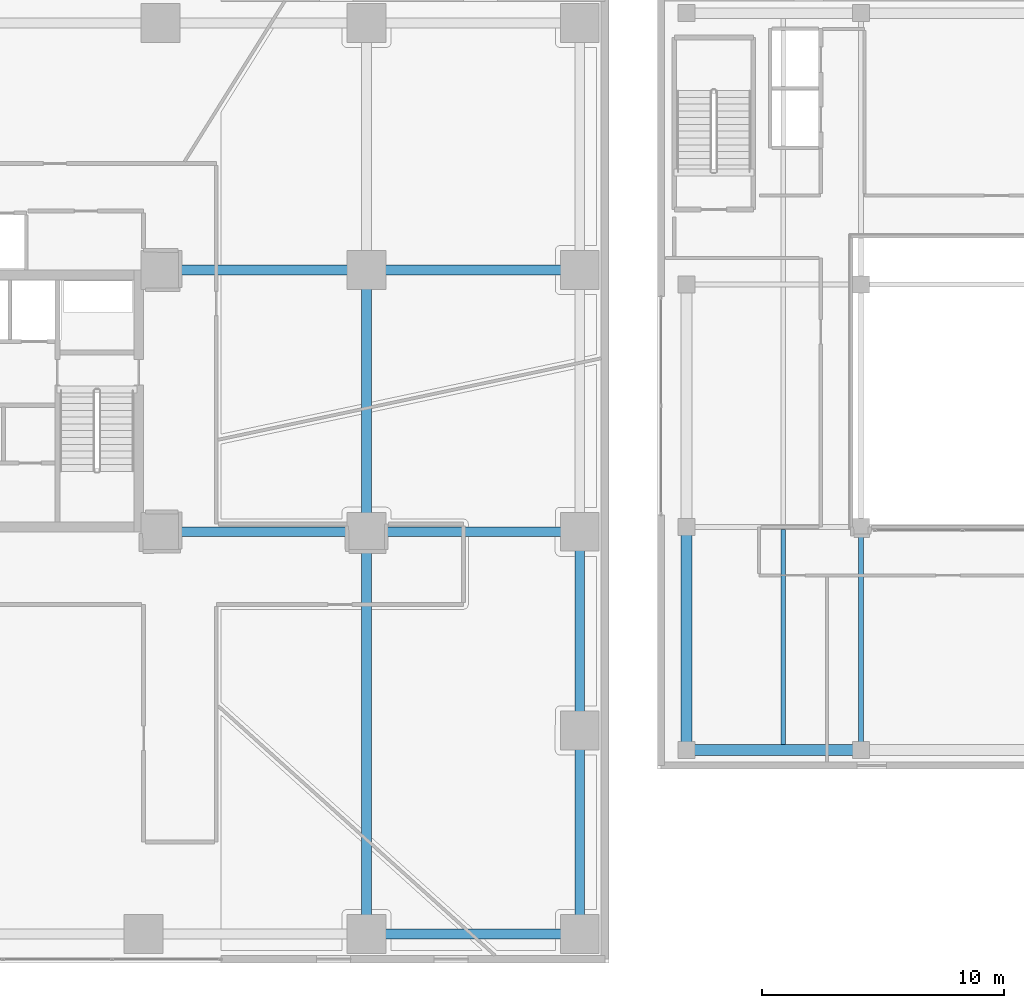
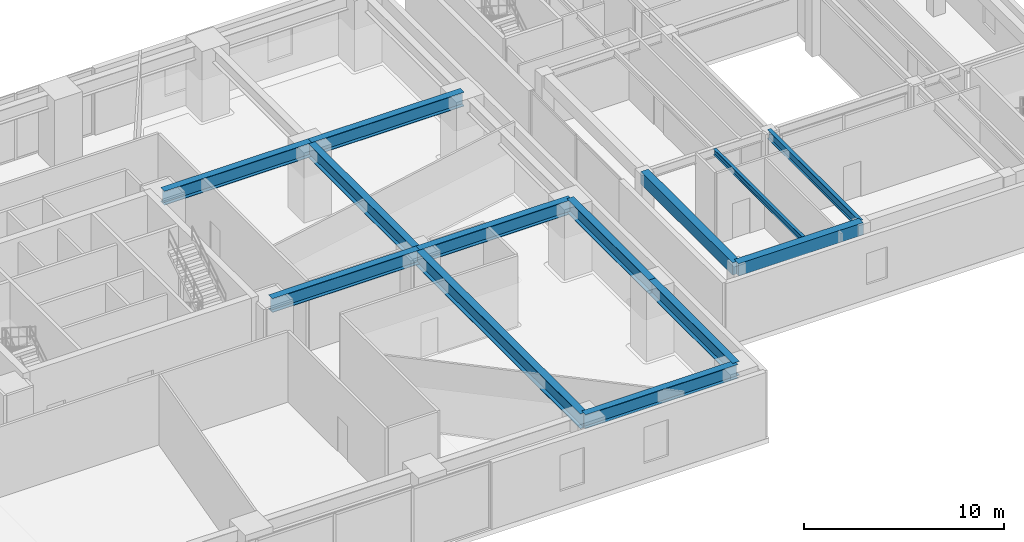
# One storey, part 6 of 24: 13 beams.
"""IFC4 building model written with IfcOpenShell, lengths in metres."""

from ifc_helpers import new_model, si_unit, direction, frame, origin, origin_2d, place, context, subcontext, project, spatial, rectangle, i_section, extrude, material, material_profile, profile_set, type_object, element, save


model = new_model("IFC4")

# Units and contexts
model_context = context("Model", 3, precision=1e-05, world=origin(), true_north=direction((0.0, 1.0)))
body_context = subcontext(model_context, "Body", "Model", "MODEL_VIEW")
ifc_project = project(units=[si_unit("LENGTHUNIT", "METRE"), si_unit("AREAUNIT", "SQUARE_METRE"), si_unit("VOLUMEUNIT", "CUBIC_METRE"), si_unit("PLANEANGLEUNIT", "RADIAN"), si_unit("MASSUNIT", "GRAM", prefix="KILO")], contexts=[model_context])

# Site, building, storey
site_placement = place(None, origin())
site = spatial("IfcSite", under=ifc_project, at=site_placement, CompositionType="ELEMENT")
building_placement = place(site_placement, origin())
building = spatial("IfcBuilding", under=site, at=building_placement, Name="Talar Marvaseh", CompositionType="ELEMENT")
storey_placement = place(building_placement, frame((0.0, 0.0, 9.800048828125)))
storey = spatial("IfcBuildingStorey", under=building, at=storey_placement, Name="L02", CompositionType="ELEMENT", Elevation=9.800048828125)

# Beams
ifc_material_1 = material(Name="Steel S460", Category="steel")
ifc_material_profile_1 = material_profile(ifc_material_1, i_section(OverallWidth=0.41796875, OverallDepth=0.912109375, WebThickness=0.019287109375, FlangeThickness=0.031982421875, at=origin_2d()), Name="W920x342")
ifc_profile_set_1 = profile_set([ifc_material_profile_1], Name="Steel S460")
beam_type_1 = type_object("IfcBeamType", Name="Auditorium Long-Span Girder W920x342", PredefinedType="BEAM", material=ifc_profile_set_1)
beam_1_placement = place(storey_placement, frame((42.0, 9.199951171875, 3.843994140625), z_axis=(0.0, 1.0, 0.0), x_axis=(-1.0, 0.0, 0.0)))
element("IfcBeam", 1, at=beam_1_placement, inside=storey, type_object=beam_type_1, Name="L02 Auditorium Long-Span Girder W920x342", PredefinedType="BEAM", context=body_context, shape_type="SweptSolid", body=[
    extrude(i_section(OverallWidth=0.41796875, OverallDepth=0.912109375, WebThickness=0.019287109375, FlangeThickness=0.031982421875, at=origin_2d()), origin(), (0.0, 0.0, 1.0), 16.60009765625),
])
ifc_material_2 = material(Name="Steel S355", Category="steel")
ifc_material_profile_2 = material_profile(ifc_material_2, i_section(OverallWidth=0.39990234375, OverallDepth=0.85498046875, WebThickness=0.018310546875, FlangeThickness=0.029296875, at=origin_2d()), Name="W840x299")
ifc_profile_set_2 = profile_set([ifc_material_profile_2], Name="Steel S355")
beam_type_2 = type_object("IfcBeamType", Name="Concourse Primary Girder W840x299", PredefinedType="BEAM", material=ifc_profile_set_2)
beam_2_placement = place(storey_placement, frame((42.0, 9.199951171875, 3.87255859375), z_axis=(1.0, 0.0, 0.0), x_axis=(0.0, 1.0, 0.0)))
element("IfcBeam", 2, at=beam_2_placement, inside=storey, type_object=beam_type_2, Name="L02 Concourse Primary Girder W840x299", PredefinedType="BEAM", context=body_context, shape_type="SweptSolid", body=[
    extrude(i_section(OverallWidth=0.39990234375, OverallDepth=0.85498046875, WebThickness=0.018310546875, FlangeThickness=0.029296875, at=origin_2d()), origin(), (0.0, 0.0, 1.0), 8.800048828125),
])
beam_3_placement = place(storey_placement, frame((33.5, 25.800048828125, 3.87255859375), z_axis=(1.0, 0.0, 0.0), x_axis=(0.0, 1.0, 0.0)))
element("IfcBeam", 3, at=beam_3_placement, inside=storey, type_object=beam_type_2, Name="L02 Concourse Primary Girder W840x299", PredefinedType="BEAM", context=body_context, shape_type="SweptSolid", body=[
    extrude(i_section(OverallWidth=0.39990234375, OverallDepth=0.85498046875, WebThickness=0.018310546875, FlangeThickness=0.029296875, at=origin_2d()), origin(), (0.0, 0.0, 1.0), 8.5),
])
beam_4_placement = place(storey_placement, frame((42.0, 25.800048828125, 3.87255859375), z_axis=(1.0, 0.0, 0.0), x_axis=(0.0, 1.0, 0.0)))
element("IfcBeam", 4, at=beam_4_placement, inside=storey, type_object=beam_type_2, Name="L02 Concourse Primary Girder W840x299", PredefinedType="BEAM", context=body_context, shape_type="SweptSolid", body=[
    extrude(i_section(OverallWidth=0.39990234375, OverallDepth=0.85498046875, WebThickness=0.018310546875, FlangeThickness=0.029296875, at=origin_2d()), origin(), (0.0, 0.0, 1.0), 8.800048828125),
])
beam_5_placement = place(storey_placement, frame((33.5, 36.60009765625, 3.87255859375), z_axis=(1.0, 0.0, 0.0), x_axis=(0.0, 1.0, 0.0)))
element("IfcBeam", 5, at=beam_5_placement, inside=storey, type_object=beam_type_2, Name="L02 Concourse Primary Girder W840x299", PredefinedType="BEAM", context=body_context, shape_type="SweptSolid", body=[
    extrude(i_section(OverallWidth=0.39990234375, OverallDepth=0.85498046875, WebThickness=0.018310546875, FlangeThickness=0.029296875, at=origin_2d()), origin(), (0.0, 0.0, 1.0), 8.5),
])
beam_6_placement = place(storey_placement, frame((42.0, 36.60009765625, 3.87255859375), z_axis=(1.0, 0.0, 0.0), x_axis=(0.0, 1.0, 0.0)))
element("IfcBeam", 6, at=beam_6_placement, inside=storey, type_object=beam_type_2, Name="L02 Concourse Primary Girder W840x299", PredefinedType="BEAM", context=body_context, shape_type="SweptSolid", body=[
    extrude(i_section(OverallWidth=0.39990234375, OverallDepth=0.85498046875, WebThickness=0.018310546875, FlangeThickness=0.029296875, at=origin_2d()), origin(), (0.0, 0.0, 1.0), 8.800048828125),
])
beam_7_placement = place(storey_placement, frame((42.0, 25.800048828125, 3.87255859375), z_axis=(0.0, 1.0, 0.0), x_axis=(-1.0, 0.0, 0.0)))
element("IfcBeam", 7, at=beam_7_placement, inside=storey, type_object=beam_type_2, Name="L02 Concourse Primary Girder W840x299", PredefinedType="BEAM", context=body_context, shape_type="SweptSolid", body=[
    extrude(i_section(OverallWidth=0.39990234375, OverallDepth=0.85498046875, WebThickness=0.018310546875, FlangeThickness=0.029296875, at=origin_2d()), origin(), (0.0, 0.0, 1.0), 10.800048828125),
])
beam_8_placement = place(storey_placement, frame((50.800048828125, 9.199951171875, 3.87255859375), z_axis=(0.0, 1.0, 0.0), x_axis=(-1.0, 0.0, 0.0)))
element("IfcBeam", 8, at=beam_8_placement, inside=storey, type_object=beam_type_2, Name="L02 Concourse Primary Girder W840x299", PredefinedType="BEAM", context=body_context, shape_type="SweptSolid", body=[
    extrude(i_section(OverallWidth=0.39990234375, OverallDepth=0.85498046875, WebThickness=0.018310546875, FlangeThickness=0.029296875, at=origin_2d()), origin(), (0.0, 0.0, 1.0), 8.400146484375),
])
beam_9_placement = place(storey_placement, frame((50.800048828125, 17.60009765625, 3.87255859375), z_axis=(0.0, 1.0, 0.0), x_axis=(-1.0, 0.0, 0.0)))
element("IfcBeam", 9, at=beam_9_placement, inside=storey, type_object=beam_type_2, Name="L02 Concourse Primary Girder W840x299", PredefinedType="BEAM", context=body_context, shape_type="SweptSolid", body=[
    extrude(i_section(OverallWidth=0.39990234375, OverallDepth=0.85498046875, WebThickness=0.018310546875, FlangeThickness=0.029296875, at=origin_2d()), origin(), (0.0, 0.0, 1.0), 8.199951171875),
])
ifc_material_3 = material(Name="Concrete C40/50", Category="concrete")
ifc_material_profile_3 = material_profile(ifc_material_3, rectangle(XDim=0.449951171875, YDim=0.75, at=origin_2d()), Name="RC450x750")
ifc_profile_set_3 = profile_set([ifc_material_profile_3], Name="Concrete C40/50")
beam_type_3 = type_object("IfcBeamType", Name="Market Concrete Edge Beam RC450x750", PredefinedType="SPANDREL", material=ifc_profile_set_3)
beam_10_placement = place(storey_placement, frame((55.199951171875, 16.800048828125, 3.925048828125), z_axis=(1.0, 0.0, 0.0), x_axis=(0.0, 1.0, 0.0)))
element("IfcBeam", 10, at=beam_10_placement, inside=storey, type_object=beam_type_3, Name="L02 Market Concrete Edge Beam RC450x750", PredefinedType="SPANDREL", context=body_context, shape_type="SweptSolid", body=[
    extrude(rectangle(XDim=0.449951171875, YDim=0.75, at=origin_2d()), origin(), (0.0, 0.0, 1.0), 7.199951171875),
])
beam_11_placement = place(storey_placement, frame((55.199951171875, 16.800048828125, 3.925048828125), z_axis=(0.0, 1.0, 0.0), x_axis=(-1.0, 0.0, 0.0)))
element("IfcBeam", 11, at=beam_11_placement, inside=storey, type_object=beam_type_3, Name="L02 Market Concrete Edge Beam RC450x750", PredefinedType="SPANDREL", context=body_context, shape_type="SweptSolid", body=[
    extrude(rectangle(XDim=0.449951171875, YDim=0.75, at=origin_2d()), origin(), (0.0, 0.0, 1.0), 9.199951171875),
])
ifc_material_profile_4 = material_profile(ifc_material_2, i_section(OverallWidth=0.2119140625, OverallDepth=0.5439453125, WebThickness=0.01318359375, FlangeThickness=0.021240234375, at=origin_2d()), Name="W530x123")
ifc_profile_set_4 = profile_set([ifc_material_profile_4], Name="Steel S355")
beam_type_4 = type_object("IfcBeamType", Name="Market Hall Primary Girder W530x123", PredefinedType="BEAM", material=ifc_profile_set_4)
beam_12_placement = place(storey_placement, frame((62.39990234375, 16.800048828125, 4.02783203125), z_axis=(0.0, 1.0, 0.0), x_axis=(-1.0, 0.0, 0.0)))
element("IfcBeam", 12, at=beam_12_placement, inside=storey, type_object=beam_type_4, Name="L02 Market Hall Primary Girder W530x123", PredefinedType="BEAM", context=body_context, shape_type="SweptSolid", body=[
    extrude(i_section(OverallWidth=0.2119140625, OverallDepth=0.5439453125, WebThickness=0.01318359375, FlangeThickness=0.021240234375, at=origin_2d()), origin(), (0.0, 0.0, 1.0), 9.199951171875),
])
ifc_material_profile_5 = material_profile(ifc_material_2, i_section(OverallWidth=0.172119140625, OverallDepth=0.35791015625, WebThickness=0.0078125, FlangeThickness=0.01318359375, at=origin_2d()), Name="W360x57")
ifc_profile_set_5 = profile_set([ifc_material_profile_5], Name="Steel S355")
beam_type_5 = type_object("IfcBeamType", Name="Zone 2 Secondary Floor Joist W360x57", PredefinedType="JOIST", material=ifc_profile_set_5)
beam_13_placement = place(storey_placement, frame((59.199951171875, 17.02001953125, 4.120849609375), z_axis=(0.0, 1.0, 0.0), x_axis=(-1.0, 0.0, 0.0)))
element("IfcBeam", 13, at=beam_13_placement, inside=storey, type_object=beam_type_5, Name="L02 Zone 2 Secondary Floor Joist W360x57", PredefinedType="JOIST", context=body_context, shape_type="SweptSolid", body=[
    extrude(i_section(OverallWidth=0.172119140625, OverallDepth=0.35791015625, WebThickness=0.0078125, FlangeThickness=0.01318359375, at=origin_2d()), origin(), (0.0, 0.0, 1.0), 8.875),
])

save(model, "model.ifc")
